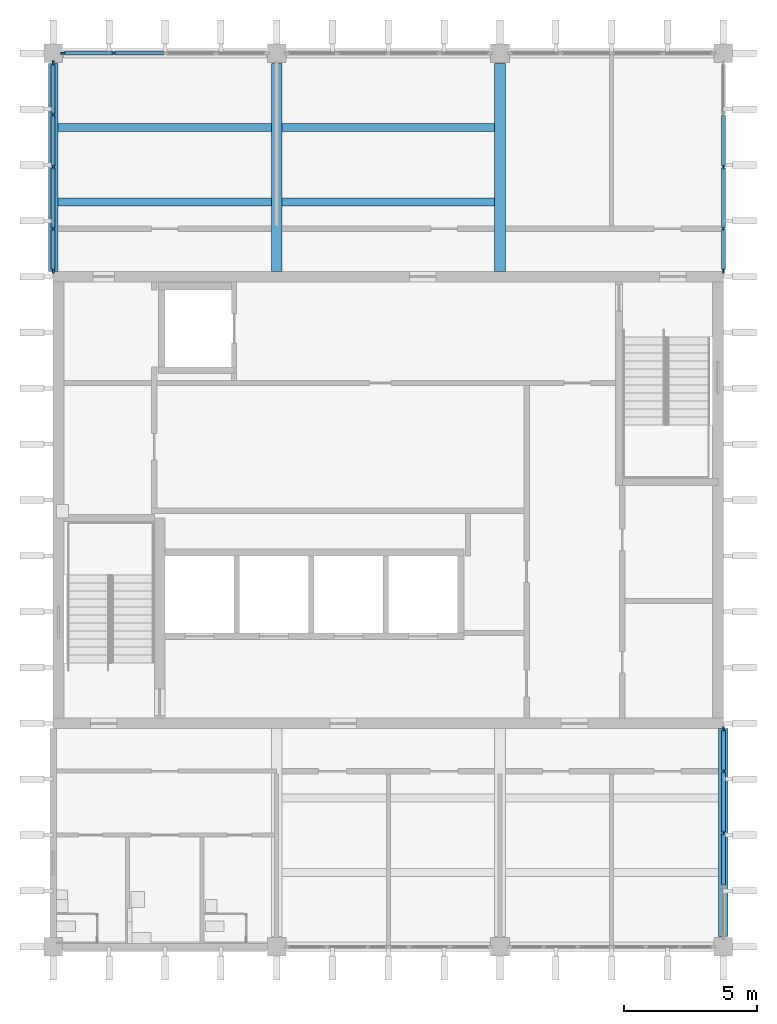
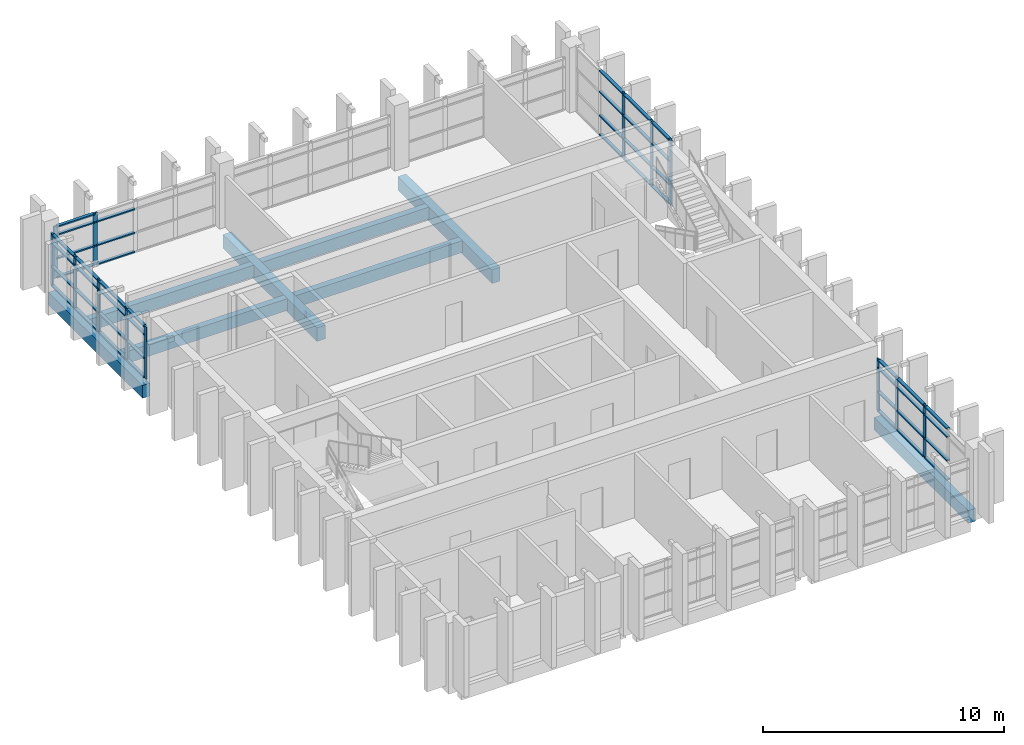
# One storey, part 3 of 11: 60 members, 8 beams, 4 elements without a shape of their own.
"""IFC4 building model written with IfcOpenShell, lengths in metres."""

from ifc_helpers import new_model, si_unit, direction, frame, origin, origin_2d, place, context, subcontext, project, spatial, rectangle, extrude, material, layer, layer_set, material_profile, profile_set, type_object, element, aggregate, save


model = new_model("IFC4")

# Units and contexts
model_context = context("Model", 3, precision=1e-05, world=origin(), true_north=direction((0.0, 1.0)))
body_context = subcontext(model_context, "Body", "Model", "MODEL_VIEW")
ifc_project = project(units=[si_unit("LENGTHUNIT", "METRE"), si_unit("AREAUNIT", "SQUARE_METRE"), si_unit("VOLUMEUNIT", "CUBIC_METRE"), si_unit("PLANEANGLEUNIT", "RADIAN"), si_unit("MASSUNIT", "GRAM", prefix="KILO")], contexts=[model_context])

# Site, building, storey
site_placement = place(None, origin())
site = spatial("IfcSite", under=ifc_project, at=site_placement, CompositionType="ELEMENT")
building_placement = place(site_placement, origin())
building = spatial("IfcBuilding", under=site, at=building_placement, Name="Rulbaag Community and Learning Centre", CompositionType="ELEMENT")
storey_placement = place(building_placement, frame((0.0, 0.0, 50.39990234375)))
storey = spatial("IfcBuildingStorey", under=building, at=storey_placement, Name="L13", CompositionType="ELEMENT", Elevation=50.39990234375)

# Beams
ifc_material_1 = material(Name="Concrete M40", Category="concrete")
ifc_material_profile_1 = material_profile(ifc_material_1, rectangle(XDim=0.39990234375, YDim=0.699951171875, at=origin_2d()), Name="RB400x700")
ifc_profile_set_1 = profile_set([ifc_material_profile_1], Name="Concrete M40")
beam_type_1 = type_object("IfcBeamType", Name="B13 Tower floor beam, upper zone 400x700 Concrete M40", PredefinedType="BEAM", material=ifc_profile_set_1)
for number, where, z_axis, x_axis, name in (
    (1, (151.199951171875, 109.39990234375, -0.64990234375), (0.0, 1.0, 0.0), (-1.0, 0.0, 0.0), "BM-L13-19N-19O"),
    (2, (159.60009765625, 109.39990234375, -0.64990234375), (0.0, 1.0, 0.0), (-1.0, 0.0, 0.0), "BM-L13-20N-20O"),
):
    element("IfcBeam", number, at=place(storey_placement, frame(where, z_axis=z_axis, x_axis=x_axis)), inside=storey, type_object=beam_type_1, Name=name, PredefinedType="BEAM", context=body_context, shape_type="SweptSolid", body=[
        extrude(rectangle(XDim=0.39990234375, YDim=0.699951171875, at=origin_2d()), origin(), (0.0, 0.0, 1.0), 7.820068359375),
    ])
ifc_material_profile_2 = material_profile(ifc_material_1, rectangle(XDim=0.35009765625, YDim=0.64990234375, at=origin_2d()), Name="RB350x650")
ifc_profile_set_2 = profile_set([ifc_material_profile_2], Name="Concrete M40")
beam_type_2 = type_object("IfcBeamType", Name="B14 Tower edge beam, upper zone 350x650 Concrete M40", PredefinedType="BEAM", material=ifc_profile_set_2)
for number, where, z_axis, x_axis, name in (
    (3, (142.800048828125, 109.39990234375, -0.625), (0.0, 1.0, 0.0), (-1.0, 0.0, 0.0), "BM-L13-18N-18O"),
    (4, (168.0, 84.3798828125, -0.625), (0.0, 1.0, 0.0), (-1.0, 0.0, 0.0), "BM-L13-21K-21L"),
):
    element("IfcBeam", number, at=place(storey_placement, frame(where, z_axis=z_axis, x_axis=x_axis)), inside=storey, type_object=beam_type_2, Name=name, PredefinedType="BEAM", context=body_context, shape_type="SweptSolid", body=[
        extrude(rectangle(XDim=0.35009765625, YDim=0.64990234375, at=origin_2d()), origin(), (0.0, 0.0, 1.0), 7.820068359375),
    ])
ifc_material_profile_3 = material_profile(ifc_material_1, rectangle(XDim=0.300048828125, YDim=0.60009765625, at=origin_2d()), Name="RB300x600")
ifc_profile_set_3 = profile_set([ifc_material_profile_3], Name="Concrete M40")
beam_type_3 = type_object("IfcBeamType", Name="B30 Secondary joist 300x600 Concrete M40", PredefinedType="BEAM", material=ifc_profile_set_3)
for number, where, z_axis, x_axis, name in (
    (5, (142.97509765625, 112.0, -0.599853515625), (1.0, 0.0, 0.0), (0.0, 1.0, 0.0), "BM-JS-L13-18N-1"),
    (6, (142.97509765625, 114.800048828125, -0.599853515625), (1.0, 0.0, 0.0), (0.0, 1.0, 0.0), "BM-JS-L13-18N-2"),
):
    element("IfcBeam", number, at=place(storey_placement, frame(where, z_axis=z_axis, x_axis=x_axis)), inside=storey, type_object=beam_type_3, Name=name, PredefinedType="BEAM", context=body_context, shape_type="SweptSolid", body=[
        extrude(rectangle(XDim=0.300048828125, YDim=0.60009765625, at=origin_2d()), origin(), (0.0, 0.0, 1.0), 8.02490234375),
    ])
for number, where, z_axis, x_axis, name in (
    (7, (151.39990234375, 112.0, -0.599853515625), (1.0, 0.0, 0.0), (0.0, 1.0, 0.0), "BM-JS-L13-19N-1"),
    (8, (151.39990234375, 114.800048828125, -0.599853515625), (1.0, 0.0, 0.0), (0.0, 1.0, 0.0), "BM-JS-L13-19N-2"),
):
    element("IfcBeam", number, at=place(storey_placement, frame(where, z_axis=z_axis, x_axis=x_axis)), inside=storey, type_object=beam_type_3, Name=name, PredefinedType="BEAM", context=body_context, shape_type="SweptSolid", body=[
        extrude(rectangle(XDim=0.300048828125, YDim=0.60009765625, at=origin_2d()), origin(), (0.0, 0.0, 1.0), 8.0),
    ])

# Curtain wall, members
ifc_material_2 = material(Name="Aluminium", Category="aluminium")
ifc_layer = layer(ifc_material_2, 0.14990234375)
ifc_layer_set = layer_set([ifc_layer], Name="CW-T")
curtain_wall_type = type_object("IfcCurtainWallType", Name="CW-T", PredefinedType="USERDEFINED", material=ifc_layer_set)
curtain_wall_1_placement = place(storey_placement, origin())
curtain_wall_1 = element("IfcCurtainWall", 9, at=curtain_wall_1_placement, inside=storey, type_object=curtain_wall_type, Name="GT-L13-01", ObjectType="UNITISED CURTAIN WALL", PredefinedType="USERDEFINED")
ifc_material_3 = material(Name="Aluminium mullion", Category="aluminium")
ifc_material_profile_4 = material_profile(ifc_material_3, rectangle(XDim=0.06494140625, YDim=0.199951171875, at=origin_2d()), Name="AL 65x200")
ifc_profile_set_4 = profile_set([ifc_material_profile_4], Name="Aluminium mullion")
member_type_1 = type_object("IfcMemberType", Name="CW-T-MUL", PredefinedType="MULLION", material=ifc_profile_set_4)
member_1_placement = place(storey_placement, frame((143.1826171875, 117.60009765625, 0.0), z_axis=(0.0, 0.0, 1.0), x_axis=(0.0, 1.0, 0.0)))
member_1 = element("IfcMember", 10, at=member_1_placement, type_object=member_type_1, Name="GT mullion 1", PredefinedType="MULLION", context=body_context, shape_type="SweptSolid", body=[
    extrude(rectangle(XDim=0.06494140625, YDim=0.199951171875, at=origin_2d()), origin(), (0.0, 0.0, 1.0), 2.650146484375),
])
member_2_placement = place(storey_placement, frame((145.074951171875, 117.60009765625, 0.0), z_axis=(0.0, 0.0, 1.0), x_axis=(0.0, 1.0, 0.0)))
member_2 = element("IfcMember", 11, at=member_2_placement, type_object=member_type_1, Name="GT mullion 2", PredefinedType="MULLION", context=body_context, shape_type="SweptSolid", body=[
    extrude(rectangle(XDim=0.06494140625, YDim=0.199951171875, at=origin_2d()), origin(), (0.0, 0.0, 1.0), 2.650146484375),
])

curtain_wall_2_placement = place(storey_placement, origin())
curtain_wall_2 = element("IfcCurtainWall", 12, at=curtain_wall_2_placement, inside=storey, type_object=curtain_wall_type, Name="GT-L13-04", ObjectType="UNITISED CURTAIN WALL", PredefinedType="USERDEFINED")
member_3_placement = place(storey_placement, frame((142.800048828125, 109.4326171875, 0.0), z_axis=(0.0, 0.0, 1.0), x_axis=(-1.0, 0.0, 0.0)))
member_3 = element("IfcMember", 13, at=member_3_placement, type_object=member_type_1, Name="GT mullion 1", PredefinedType="MULLION", context=body_context, shape_type="SweptSolid", body=[
    extrude(rectangle(XDim=0.06494140625, YDim=0.199951171875, at=origin_2d()), origin(), (0.0, 0.0, 1.0), 2.650146484375),
])
member_4_placement = place(storey_placement, frame((142.800048828125, 111.0, 0.0), z_axis=(0.0, 0.0, 1.0), x_axis=(-1.0, 0.0, 0.0)))
member_4 = element("IfcMember", 14, at=member_4_placement, type_object=member_type_1, Name="GT mullion 2", PredefinedType="MULLION", context=body_context, shape_type="SweptSolid", body=[
    extrude(rectangle(XDim=0.06494140625, YDim=0.199951171875, at=origin_2d()), origin(), (0.0, 0.0, 1.0), 2.650146484375),
])
member_5_placement = place(storey_placement, frame((142.800048828125, 113.324951171875, 0.0), z_axis=(0.0, 0.0, 1.0), x_axis=(-1.0, 0.0, 0.0)))
member_5 = element("IfcMember", 15, at=member_5_placement, type_object=member_type_1, Name="GT mullion 3", PredefinedType="MULLION", context=body_context, shape_type="SweptSolid", body=[
    extrude(rectangle(XDim=0.06494140625, YDim=0.199951171875, at=origin_2d()), origin(), (0.0, 0.0, 1.0), 2.650146484375),
])
member_6_placement = place(storey_placement, frame((142.800048828125, 115.28759765625, 0.0), z_axis=(0.0, 0.0, 1.0), x_axis=(-1.0, 0.0, 0.0)))
member_6 = element("IfcMember", 16, at=member_6_placement, type_object=member_type_1, Name="GT mullion 4", PredefinedType="MULLION", context=body_context, shape_type="SweptSolid", body=[
    extrude(rectangle(XDim=0.06494140625, YDim=0.199951171875, at=origin_2d()), origin(), (0.0, 0.0, 1.0), 2.650146484375),
])
member_7_placement = place(storey_placement, frame((142.800048828125, 117.217529296875, 0.0), z_axis=(0.0, 0.0, 1.0), x_axis=(-1.0, 0.0, 0.0)))
member_7 = element("IfcMember", 17, at=member_7_placement, type_object=member_type_1, Name="GT mullion 5", PredefinedType="MULLION", context=body_context, shape_type="SweptSolid", body=[
    extrude(rectangle(XDim=0.06494140625, YDim=0.199951171875, at=origin_2d()), origin(), (0.0, 0.0, 1.0), 2.650146484375),
])

curtain_wall_3_placement = place(storey_placement, origin())
curtain_wall_3 = element("IfcCurtainWall", 18, at=curtain_wall_3_placement, inside=storey, type_object=curtain_wall_type, Name="GT-L13-05", ObjectType="UNITISED CURTAIN WALL", PredefinedType="USERDEFINED")
member_8_placement = place(storey_placement, frame((168.0, 88.27490234375, 0.0), z_axis=(0.0, 0.0, 1.0), x_axis=(-1.0, 0.0, 0.0)))
member_8 = element("IfcMember", 19, at=member_8_placement, type_object=member_type_1, Name="GT mullion 3", PredefinedType="MULLION", context=body_context, shape_type="SweptSolid", body=[
    extrude(rectangle(XDim=0.06494140625, YDim=0.199951171875, at=origin_2d()), origin(), (0.0, 0.0, 1.0), 2.650146484375),
])
member_9_placement = place(storey_placement, frame((168.0, 90.60009765625, 0.0), z_axis=(0.0, 0.0, 1.0), x_axis=(-1.0, 0.0, 0.0)))
member_9 = element("IfcMember", 20, at=member_9_placement, type_object=member_type_1, Name="GT mullion 4", PredefinedType="MULLION", context=body_context, shape_type="SweptSolid", body=[
    extrude(rectangle(XDim=0.06494140625, YDim=0.199951171875, at=origin_2d()), origin(), (0.0, 0.0, 1.0), 2.650146484375),
])
member_10_placement = place(storey_placement, frame((168.0, 92.16748046875, 0.0), z_axis=(0.0, 0.0, 1.0), x_axis=(-1.0, 0.0, 0.0)))
member_10 = element("IfcMember", 21, at=member_10_placement, type_object=member_type_1, Name="GT mullion 5", PredefinedType="MULLION", context=body_context, shape_type="SweptSolid", body=[
    extrude(rectangle(XDim=0.06494140625, YDim=0.199951171875, at=origin_2d()), origin(), (0.0, 0.0, 1.0), 2.650146484375),
])

curtain_wall_4_placement = place(storey_placement, origin())
curtain_wall_4 = element("IfcCurtainWall", 22, at=curtain_wall_4_placement, inside=storey, type_object=curtain_wall_type, Name="GT-L13-06", ObjectType="UNITISED CURTAIN WALL", PredefinedType="USERDEFINED")
member_11_placement = place(storey_placement, frame((168.0, 109.4326171875, 0.0), z_axis=(0.0, 0.0, 1.0), x_axis=(-1.0, 0.0, 0.0)))
member_11 = element("IfcMember", 23, at=member_11_placement, type_object=member_type_1, Name="GT mullion 1", PredefinedType="MULLION", context=body_context, shape_type="SweptSolid", body=[
    extrude(rectangle(XDim=0.06494140625, YDim=0.199951171875, at=origin_2d()), origin(), (0.0, 0.0, 1.0), 3.300048828125),
])
member_12_placement = place(storey_placement, frame((168.0, 111.0, 0.0), z_axis=(0.0, 0.0, 1.0), x_axis=(-1.0, 0.0, 0.0)))
member_12 = element("IfcMember", 24, at=member_12_placement, type_object=member_type_1, Name="GT mullion 2", PredefinedType="MULLION", context=body_context, shape_type="SweptSolid", body=[
    extrude(rectangle(XDim=0.06494140625, YDim=0.199951171875, at=origin_2d()), origin(), (0.0, 0.0, 1.0), 3.300048828125),
])
member_13_placement = place(storey_placement, frame((168.0, 113.324951171875, 0.0), z_axis=(0.0, 0.0, 1.0), x_axis=(-1.0, 0.0, 0.0)))
member_13 = element("IfcMember", 25, at=member_13_placement, type_object=member_type_1, Name="GT mullion 3", PredefinedType="MULLION", context=body_context, shape_type="SweptSolid", body=[
    extrude(rectangle(XDim=0.06494140625, YDim=0.199951171875, at=origin_2d()), origin(), (0.0, 0.0, 1.0), 3.300048828125),
])

# Member
ifc_material_4 = material(Name="Aluminium transom", Category="aluminium")
ifc_material_profile_5 = material_profile(ifc_material_4, rectangle(XDim=0.14990234375, YDim=0.06494140625, at=origin_2d()), Name="AL 65x150 T")
ifc_profile_set_5 = profile_set([ifc_material_profile_5], Name="Aluminium transom")
member_type_2 = type_object("IfcMemberType", Name="CW-T-TRN", PredefinedType="USERDEFINED", material=ifc_profile_set_5)
member_14_placement = place(storey_placement, frame((143.215087890625, 117.60009765625, 0.03271484375), z_axis=(1.0, 0.0, 0.0), x_axis=(0.0, 1.0, 0.0)))
member_14 = element("IfcMember", 26, at=member_14_placement, type_object=member_type_2, Name="GT transom 1.1", ObjectType="TRANSOM", PredefinedType="USERDEFINED", context=body_context, shape_type="SweptSolid", body=[
    extrude(rectangle(XDim=0.14990234375, YDim=0.06494140625, at=origin_2d()), origin(), (0.0, 0.0, 1.0), 1.827392578125),
])

member_15_placement = place(storey_placement, frame((143.215087890625, 117.60009765625, 1.0), z_axis=(1.0, 0.0, 0.0), x_axis=(0.0, 1.0, 0.0)))
member_15 = element("IfcMember", 27, at=member_15_placement, type_object=member_type_2, Name="GT transom 1.2", ObjectType="TRANSOM", PredefinedType="USERDEFINED", context=body_context, shape_type="SweptSolid", body=[
    extrude(rectangle(XDim=0.14990234375, YDim=0.06494140625, at=origin_2d()), origin(), (0.0, 0.0, 1.0), 1.827392578125),
])

member_16_placement = place(storey_placement, frame((143.215087890625, 117.60009765625, 2.2001953125), z_axis=(1.0, 0.0, 0.0), x_axis=(0.0, 1.0, 0.0)))
member_16 = element("IfcMember", 28, at=member_16_placement, type_object=member_type_2, Name="GT transom 1.3", ObjectType="TRANSOM", PredefinedType="USERDEFINED", context=body_context, shape_type="SweptSolid", body=[
    extrude(rectangle(XDim=0.14990234375, YDim=0.06494140625, at=origin_2d()), origin(), (0.0, 0.0, 1.0), 1.827392578125),
])

member_17_placement = place(storey_placement, frame((143.215087890625, 117.60009765625, 2.61767578125), z_axis=(1.0, 0.0, 0.0), x_axis=(0.0, 1.0, 0.0)))
member_17 = element("IfcMember", 29, at=member_17_placement, type_object=member_type_2, Name="GT transom 1.4", ObjectType="TRANSOM", PredefinedType="USERDEFINED", context=body_context, shape_type="SweptSolid", body=[
    extrude(rectangle(XDim=0.14990234375, YDim=0.06494140625, at=origin_2d()), origin(), (0.0, 0.0, 1.0), 1.827392578125),
])

member_18_placement = place(storey_placement, frame((145.107421875, 117.60009765625, 0.03271484375), z_axis=(1.0, 0.0, 0.0), x_axis=(0.0, 1.0, 0.0)))
member_18 = element("IfcMember", 30, at=member_18_placement, type_object=member_type_2, Name="GT transom 2.1", ObjectType="TRANSOM", PredefinedType="USERDEFINED", context=body_context, shape_type="SweptSolid", body=[
    extrude(rectangle(XDim=0.14990234375, YDim=0.06494140625, at=origin_2d()), origin(), (0.0, 0.0, 1.0), 1.860107421875),
])

member_19_placement = place(storey_placement, frame((145.107421875, 117.60009765625, 1.0), z_axis=(1.0, 0.0, 0.0), x_axis=(0.0, 1.0, 0.0)))
member_19 = element("IfcMember", 31, at=member_19_placement, type_object=member_type_2, Name="GT transom 2.2", ObjectType="TRANSOM", PredefinedType="USERDEFINED", context=body_context, shape_type="SweptSolid", body=[
    extrude(rectangle(XDim=0.14990234375, YDim=0.06494140625, at=origin_2d()), origin(), (0.0, 0.0, 1.0), 1.860107421875),
])

member_20_placement = place(storey_placement, frame((145.107421875, 117.60009765625, 2.2001953125), z_axis=(1.0, 0.0, 0.0), x_axis=(0.0, 1.0, 0.0)))
member_20 = element("IfcMember", 32, at=member_20_placement, type_object=member_type_2, Name="GT transom 2.3", ObjectType="TRANSOM", PredefinedType="USERDEFINED", context=body_context, shape_type="SweptSolid", body=[
    extrude(rectangle(XDim=0.14990234375, YDim=0.06494140625, at=origin_2d()), origin(), (0.0, 0.0, 1.0), 1.860107421875),
])

aggregate(curtain_wall_1, [member_1, member_2, member_14, member_15, member_16, member_17, member_18, member_19, member_20])

member_21_placement = place(storey_placement, frame((142.800048828125, 109.465087890625, 0.03271484375), z_axis=(0.0, 1.0, 0.0), x_axis=(-1.0, 0.0, 0.0)))
member_21 = element("IfcMember", 33, at=member_21_placement, type_object=member_type_2, Name="GT transom 1.1", ObjectType="TRANSOM", PredefinedType="USERDEFINED", context=body_context, shape_type="SweptSolid", body=[
    extrude(rectangle(XDim=0.14990234375, YDim=0.06494140625, at=origin_2d()), origin(), (0.0, 0.0, 1.0), 1.50244140625),
])

member_22_placement = place(storey_placement, frame((142.800048828125, 109.465087890625, 1.0), z_axis=(0.0, 1.0, 0.0), x_axis=(-1.0, 0.0, 0.0)))
member_22 = element("IfcMember", 34, at=member_22_placement, type_object=member_type_2, Name="GT transom 1.2", ObjectType="TRANSOM", PredefinedType="USERDEFINED", context=body_context, shape_type="SweptSolid", body=[
    extrude(rectangle(XDim=0.14990234375, YDim=0.06494140625, at=origin_2d()), origin(), (0.0, 0.0, 1.0), 1.50244140625),
])

member_23_placement = place(storey_placement, frame((142.800048828125, 109.465087890625, 2.2001953125), z_axis=(0.0, 1.0, 0.0), x_axis=(-1.0, 0.0, 0.0)))
member_23 = element("IfcMember", 35, at=member_23_placement, type_object=member_type_2, Name="GT transom 1.3", ObjectType="TRANSOM", PredefinedType="USERDEFINED", context=body_context, shape_type="SweptSolid", body=[
    extrude(rectangle(XDim=0.14990234375, YDim=0.06494140625, at=origin_2d()), origin(), (0.0, 0.0, 1.0), 1.50244140625),
])

member_24_placement = place(storey_placement, frame((142.800048828125, 109.465087890625, 2.61767578125), z_axis=(0.0, 1.0, 0.0), x_axis=(-1.0, 0.0, 0.0)))
member_24 = element("IfcMember", 36, at=member_24_placement, type_object=member_type_2, Name="GT transom 1.4", ObjectType="TRANSOM", PredefinedType="USERDEFINED", context=body_context, shape_type="SweptSolid", body=[
    extrude(rectangle(XDim=0.14990234375, YDim=0.06494140625, at=origin_2d()), origin(), (0.0, 0.0, 1.0), 1.50244140625),
])

member_25_placement = place(storey_placement, frame((142.800048828125, 111.032470703125, 0.03271484375), z_axis=(0.0, 1.0, 0.0), x_axis=(-1.0, 0.0, 0.0)))
member_25 = element("IfcMember", 37, at=member_25_placement, type_object=member_type_2, Name="GT transom 2.1", ObjectType="TRANSOM", PredefinedType="USERDEFINED", context=body_context, shape_type="SweptSolid", body=[
    extrude(rectangle(XDim=0.14990234375, YDim=0.06494140625, at=origin_2d()), origin(), (0.0, 0.0, 1.0), 2.260009765625),
])

member_26_placement = place(storey_placement, frame((142.800048828125, 111.032470703125, 1.0), z_axis=(0.0, 1.0, 0.0), x_axis=(-1.0, 0.0, 0.0)))
member_26 = element("IfcMember", 38, at=member_26_placement, type_object=member_type_2, Name="GT transom 2.2", ObjectType="TRANSOM", PredefinedType="USERDEFINED", context=body_context, shape_type="SweptSolid", body=[
    extrude(rectangle(XDim=0.14990234375, YDim=0.06494140625, at=origin_2d()), origin(), (0.0, 0.0, 1.0), 2.260009765625),
])

member_27_placement = place(storey_placement, frame((142.800048828125, 111.032470703125, 2.2001953125), z_axis=(0.0, 1.0, 0.0), x_axis=(-1.0, 0.0, 0.0)))
member_27 = element("IfcMember", 39, at=member_27_placement, type_object=member_type_2, Name="GT transom 2.3", ObjectType="TRANSOM", PredefinedType="USERDEFINED", context=body_context, shape_type="SweptSolid", body=[
    extrude(rectangle(XDim=0.14990234375, YDim=0.06494140625, at=origin_2d()), origin(), (0.0, 0.0, 1.0), 2.260009765625),
])

member_28_placement = place(storey_placement, frame((142.800048828125, 111.032470703125, 2.61767578125), z_axis=(0.0, 1.0, 0.0), x_axis=(-1.0, 0.0, 0.0)))
member_28 = element("IfcMember", 40, at=member_28_placement, type_object=member_type_2, Name="GT transom 2.4", ObjectType="TRANSOM", PredefinedType="USERDEFINED", context=body_context, shape_type="SweptSolid", body=[
    extrude(rectangle(XDim=0.14990234375, YDim=0.06494140625, at=origin_2d()), origin(), (0.0, 0.0, 1.0), 2.260009765625),
])

member_29_placement = place(storey_placement, frame((142.800048828125, 113.357421875, 0.03271484375), z_axis=(0.0, 1.0, 0.0), x_axis=(-1.0, 0.0, 0.0)))
member_29 = element("IfcMember", 41, at=member_29_placement, type_object=member_type_2, Name="GT transom 3.1", ObjectType="TRANSOM", PredefinedType="USERDEFINED", context=body_context, shape_type="SweptSolid", body=[
    extrude(rectangle(XDim=0.14990234375, YDim=0.06494140625, at=origin_2d()), origin(), (0.0, 0.0, 1.0), 1.8974609375),
])

member_30_placement = place(storey_placement, frame((142.800048828125, 113.357421875, 1.0), z_axis=(0.0, 1.0, 0.0), x_axis=(-1.0, 0.0, 0.0)))
member_30 = element("IfcMember", 42, at=member_30_placement, type_object=member_type_2, Name="GT transom 3.2", ObjectType="TRANSOM", PredefinedType="USERDEFINED", context=body_context, shape_type="SweptSolid", body=[
    extrude(rectangle(XDim=0.14990234375, YDim=0.06494140625, at=origin_2d()), origin(), (0.0, 0.0, 1.0), 1.8974609375),
])

member_31_placement = place(storey_placement, frame((142.800048828125, 113.357421875, 2.2001953125), z_axis=(0.0, 1.0, 0.0), x_axis=(-1.0, 0.0, 0.0)))
member_31 = element("IfcMember", 43, at=member_31_placement, type_object=member_type_2, Name="GT transom 3.3", ObjectType="TRANSOM", PredefinedType="USERDEFINED", context=body_context, shape_type="SweptSolid", body=[
    extrude(rectangle(XDim=0.14990234375, YDim=0.06494140625, at=origin_2d()), origin(), (0.0, 0.0, 1.0), 1.8974609375),
])

member_32_placement = place(storey_placement, frame((142.800048828125, 113.357421875, 2.61767578125), z_axis=(0.0, 1.0, 0.0), x_axis=(-1.0, 0.0, 0.0)))
member_32 = element("IfcMember", 44, at=member_32_placement, type_object=member_type_2, Name="GT transom 3.4", ObjectType="TRANSOM", PredefinedType="USERDEFINED", context=body_context, shape_type="SweptSolid", body=[
    extrude(rectangle(XDim=0.14990234375, YDim=0.06494140625, at=origin_2d()), origin(), (0.0, 0.0, 1.0), 1.8974609375),
])

member_33_placement = place(storey_placement, frame((142.800048828125, 115.320068359375, 0.03271484375), z_axis=(0.0, 1.0, 0.0), x_axis=(-1.0, 0.0, 0.0)))
member_33 = element("IfcMember", 45, at=member_33_placement, type_object=member_type_2, Name="GT transom 4.1", ObjectType="TRANSOM", PredefinedType="USERDEFINED", context=body_context, shape_type="SweptSolid", body=[
    extrude(rectangle(XDim=0.14990234375, YDim=0.06494140625, at=origin_2d()), origin(), (0.0, 0.0, 1.0), 1.864990234375),
])

member_34_placement = place(storey_placement, frame((142.800048828125, 115.320068359375, 1.0), z_axis=(0.0, 1.0, 0.0), x_axis=(-1.0, 0.0, 0.0)))
member_34 = element("IfcMember", 46, at=member_34_placement, type_object=member_type_2, Name="GT transom 4.2", ObjectType="TRANSOM", PredefinedType="USERDEFINED", context=body_context, shape_type="SweptSolid", body=[
    extrude(rectangle(XDim=0.14990234375, YDim=0.06494140625, at=origin_2d()), origin(), (0.0, 0.0, 1.0), 1.864990234375),
])

member_35_placement = place(storey_placement, frame((142.800048828125, 115.320068359375, 2.2001953125), z_axis=(0.0, 1.0, 0.0), x_axis=(-1.0, 0.0, 0.0)))
member_35 = element("IfcMember", 47, at=member_35_placement, type_object=member_type_2, Name="GT transom 4.3", ObjectType="TRANSOM", PredefinedType="USERDEFINED", context=body_context, shape_type="SweptSolid", body=[
    extrude(rectangle(XDim=0.14990234375, YDim=0.06494140625, at=origin_2d()), origin(), (0.0, 0.0, 1.0), 1.864990234375),
])

member_36_placement = place(storey_placement, frame((142.800048828125, 115.320068359375, 2.61767578125), z_axis=(0.0, 1.0, 0.0), x_axis=(-1.0, 0.0, 0.0)))
member_36 = element("IfcMember", 48, at=member_36_placement, type_object=member_type_2, Name="GT transom 4.4", ObjectType="TRANSOM", PredefinedType="USERDEFINED", context=body_context, shape_type="SweptSolid", body=[
    extrude(rectangle(XDim=0.14990234375, YDim=0.06494140625, at=origin_2d()), origin(), (0.0, 0.0, 1.0), 1.864990234375),
])

aggregate(curtain_wall_2, [member_3, member_4, member_5, member_6, member_7, member_21, member_22, member_23, member_24, member_25, member_26, member_27, member_28, member_29, member_30, member_31, member_32, member_33, member_34, member_35, member_36])

member_37_placement = place(storey_placement, frame((168.0, 86.344970703125, 0.03271484375), z_axis=(0.0, 1.0, 0.0), x_axis=(-1.0, 0.0, 0.0)))
member_37 = element("IfcMember", 49, at=member_37_placement, type_object=member_type_2, Name="GT transom 2.1", ObjectType="TRANSOM", PredefinedType="USERDEFINED", context=body_context, shape_type="SweptSolid", body=[
    extrude(rectangle(XDim=0.14990234375, YDim=0.06494140625, at=origin_2d()), origin(), (0.0, 0.0, 1.0), 1.8974609375),
])

member_38_placement = place(storey_placement, frame((168.0, 86.344970703125, 1.0), z_axis=(0.0, 1.0, 0.0), x_axis=(-1.0, 0.0, 0.0)))
member_38 = element("IfcMember", 50, at=member_38_placement, type_object=member_type_2, Name="GT transom 2.2", ObjectType="TRANSOM", PredefinedType="USERDEFINED", context=body_context, shape_type="SweptSolid", body=[
    extrude(rectangle(XDim=0.14990234375, YDim=0.06494140625, at=origin_2d()), origin(), (0.0, 0.0, 1.0), 1.8974609375),
])

member_39_placement = place(storey_placement, frame((168.0, 86.344970703125, 2.2001953125), z_axis=(0.0, 1.0, 0.0), x_axis=(-1.0, 0.0, 0.0)))
member_39 = element("IfcMember", 51, at=member_39_placement, type_object=member_type_2, Name="GT transom 2.3", ObjectType="TRANSOM", PredefinedType="USERDEFINED", context=body_context, shape_type="SweptSolid", body=[
    extrude(rectangle(XDim=0.14990234375, YDim=0.06494140625, at=origin_2d()), origin(), (0.0, 0.0, 1.0), 1.8974609375),
])

member_40_placement = place(storey_placement, frame((168.0, 86.344970703125, 2.61767578125), z_axis=(0.0, 1.0, 0.0), x_axis=(-1.0, 0.0, 0.0)))
member_40 = element("IfcMember", 52, at=member_40_placement, type_object=member_type_2, Name="GT transom 2.4", ObjectType="TRANSOM", PredefinedType="USERDEFINED", context=body_context, shape_type="SweptSolid", body=[
    extrude(rectangle(XDim=0.14990234375, YDim=0.06494140625, at=origin_2d()), origin(), (0.0, 0.0, 1.0), 1.8974609375),
])

member_41_placement = place(storey_placement, frame((168.0, 88.3076171875, 0.03271484375), z_axis=(0.0, 1.0, 0.0), x_axis=(-1.0, 0.0, 0.0)))
member_41 = element("IfcMember", 53, at=member_41_placement, type_object=member_type_2, Name="GT transom 3.1", ObjectType="TRANSOM", PredefinedType="USERDEFINED", context=body_context, shape_type="SweptSolid", body=[
    extrude(rectangle(XDim=0.14990234375, YDim=0.06494140625, at=origin_2d()), origin(), (0.0, 0.0, 1.0), 2.259765625),
])

member_42_placement = place(storey_placement, frame((168.0, 88.3076171875, 1.0), z_axis=(0.0, 1.0, 0.0), x_axis=(-1.0, 0.0, 0.0)))
member_42 = element("IfcMember", 54, at=member_42_placement, type_object=member_type_2, Name="GT transom 3.2", ObjectType="TRANSOM", PredefinedType="USERDEFINED", context=body_context, shape_type="SweptSolid", body=[
    extrude(rectangle(XDim=0.14990234375, YDim=0.06494140625, at=origin_2d()), origin(), (0.0, 0.0, 1.0), 2.259765625),
])

member_43_placement = place(storey_placement, frame((168.0, 88.3076171875, 2.2001953125), z_axis=(0.0, 1.0, 0.0), x_axis=(-1.0, 0.0, 0.0)))
member_43 = element("IfcMember", 55, at=member_43_placement, type_object=member_type_2, Name="GT transom 3.3", ObjectType="TRANSOM", PredefinedType="USERDEFINED", context=body_context, shape_type="SweptSolid", body=[
    extrude(rectangle(XDim=0.14990234375, YDim=0.06494140625, at=origin_2d()), origin(), (0.0, 0.0, 1.0), 2.259765625),
])

member_44_placement = place(storey_placement, frame((168.0, 88.3076171875, 2.61767578125), z_axis=(0.0, 1.0, 0.0), x_axis=(-1.0, 0.0, 0.0)))
member_44 = element("IfcMember", 56, at=member_44_placement, type_object=member_type_2, Name="GT transom 3.4", ObjectType="TRANSOM", PredefinedType="USERDEFINED", context=body_context, shape_type="SweptSolid", body=[
    extrude(rectangle(XDim=0.14990234375, YDim=0.06494140625, at=origin_2d()), origin(), (0.0, 0.0, 1.0), 2.259765625),
])

member_45_placement = place(storey_placement, frame((168.0, 90.632568359375, 0.03271484375), z_axis=(0.0, 1.0, 0.0), x_axis=(-1.0, 0.0, 0.0)))
member_45 = element("IfcMember", 57, at=member_45_placement, type_object=member_type_2, Name="GT transom 4.1", ObjectType="TRANSOM", PredefinedType="USERDEFINED", context=body_context, shape_type="SweptSolid", body=[
    extrude(rectangle(XDim=0.14990234375, YDim=0.06494140625, at=origin_2d()), origin(), (0.0, 0.0, 1.0), 1.50244140625),
])

member_46_placement = place(storey_placement, frame((168.0, 90.632568359375, 1.0), z_axis=(0.0, 1.0, 0.0), x_axis=(-1.0, 0.0, 0.0)))
member_46 = element("IfcMember", 58, at=member_46_placement, type_object=member_type_2, Name="GT transom 4.2", ObjectType="TRANSOM", PredefinedType="USERDEFINED", context=body_context, shape_type="SweptSolid", body=[
    extrude(rectangle(XDim=0.14990234375, YDim=0.06494140625, at=origin_2d()), origin(), (0.0, 0.0, 1.0), 1.50244140625),
])

member_47_placement = place(storey_placement, frame((168.0, 90.632568359375, 2.2001953125), z_axis=(0.0, 1.0, 0.0), x_axis=(-1.0, 0.0, 0.0)))
member_47 = element("IfcMember", 59, at=member_47_placement, type_object=member_type_2, Name="GT transom 4.3", ObjectType="TRANSOM", PredefinedType="USERDEFINED", context=body_context, shape_type="SweptSolid", body=[
    extrude(rectangle(XDim=0.14990234375, YDim=0.06494140625, at=origin_2d()), origin(), (0.0, 0.0, 1.0), 1.50244140625),
])

member_48_placement = place(storey_placement, frame((168.0, 90.632568359375, 2.61767578125), z_axis=(0.0, 1.0, 0.0), x_axis=(-1.0, 0.0, 0.0)))
member_48 = element("IfcMember", 60, at=member_48_placement, type_object=member_type_2, Name="GT transom 4.4", ObjectType="TRANSOM", PredefinedType="USERDEFINED", context=body_context, shape_type="SweptSolid", body=[
    extrude(rectangle(XDim=0.14990234375, YDim=0.06494140625, at=origin_2d()), origin(), (0.0, 0.0, 1.0), 1.50244140625),
])

aggregate(curtain_wall_3, [member_8, member_9, member_10, member_37, member_38, member_39, member_40, member_41, member_42, member_43, member_44, member_45, member_46, member_47, member_48])

member_49_placement = place(storey_placement, frame((168.0, 109.465087890625, 0.03271484375), z_axis=(0.0, 1.0, 0.0), x_axis=(-1.0, 0.0, 0.0)))
member_49 = element("IfcMember", 61, at=member_49_placement, type_object=member_type_2, Name="GT transom 1.1", ObjectType="TRANSOM", PredefinedType="USERDEFINED", context=body_context, shape_type="SweptSolid", body=[
    extrude(rectangle(XDim=0.14990234375, YDim=0.06494140625, at=origin_2d()), origin(), (0.0, 0.0, 1.0), 1.50244140625),
])

member_50_placement = place(storey_placement, frame((168.0, 109.465087890625, 1.0), z_axis=(0.0, 1.0, 0.0), x_axis=(-1.0, 0.0, 0.0)))
member_50 = element("IfcMember", 62, at=member_50_placement, type_object=member_type_2, Name="GT transom 1.2", ObjectType="TRANSOM", PredefinedType="USERDEFINED", context=body_context, shape_type="SweptSolid", body=[
    extrude(rectangle(XDim=0.14990234375, YDim=0.06494140625, at=origin_2d()), origin(), (0.0, 0.0, 1.0), 1.50244140625),
])

member_51_placement = place(storey_placement, frame((168.0, 109.465087890625, 2.2001953125), z_axis=(0.0, 1.0, 0.0), x_axis=(-1.0, 0.0, 0.0)))
member_51 = element("IfcMember", 63, at=member_51_placement, type_object=member_type_2, Name="GT transom 1.3", ObjectType="TRANSOM", PredefinedType="USERDEFINED", context=body_context, shape_type="SweptSolid", body=[
    extrude(rectangle(XDim=0.14990234375, YDim=0.06494140625, at=origin_2d()), origin(), (0.0, 0.0, 1.0), 1.50244140625),
])

member_52_placement = place(storey_placement, frame((168.0, 109.465087890625, 3.267578125), z_axis=(0.0, 1.0, 0.0), x_axis=(-1.0, 0.0, 0.0)))
member_52 = element("IfcMember", 64, at=member_52_placement, type_object=member_type_2, Name="GT transom 1.4", ObjectType="TRANSOM", PredefinedType="USERDEFINED", context=body_context, shape_type="SweptSolid", body=[
    extrude(rectangle(XDim=0.14990234375, YDim=0.06494140625, at=origin_2d()), origin(), (0.0, 0.0, 1.0), 1.50244140625),
])

member_53_placement = place(storey_placement, frame((168.0, 111.032470703125, 0.03271484375), z_axis=(0.0, 1.0, 0.0), x_axis=(-1.0, 0.0, 0.0)))
member_53 = element("IfcMember", 65, at=member_53_placement, type_object=member_type_2, Name="GT transom 2.1", ObjectType="TRANSOM", PredefinedType="USERDEFINED", context=body_context, shape_type="SweptSolid", body=[
    extrude(rectangle(XDim=0.14990234375, YDim=0.06494140625, at=origin_2d()), origin(), (0.0, 0.0, 1.0), 2.260009765625),
])

member_54_placement = place(storey_placement, frame((168.0, 111.032470703125, 1.0), z_axis=(0.0, 1.0, 0.0), x_axis=(-1.0, 0.0, 0.0)))
member_54 = element("IfcMember", 66, at=member_54_placement, type_object=member_type_2, Name="GT transom 2.2", ObjectType="TRANSOM", PredefinedType="USERDEFINED", context=body_context, shape_type="SweptSolid", body=[
    extrude(rectangle(XDim=0.14990234375, YDim=0.06494140625, at=origin_2d()), origin(), (0.0, 0.0, 1.0), 2.260009765625),
])

member_55_placement = place(storey_placement, frame((168.0, 111.032470703125, 2.2001953125), z_axis=(0.0, 1.0, 0.0), x_axis=(-1.0, 0.0, 0.0)))
member_55 = element("IfcMember", 67, at=member_55_placement, type_object=member_type_2, Name="GT transom 2.3", ObjectType="TRANSOM", PredefinedType="USERDEFINED", context=body_context, shape_type="SweptSolid", body=[
    extrude(rectangle(XDim=0.14990234375, YDim=0.06494140625, at=origin_2d()), origin(), (0.0, 0.0, 1.0), 2.260009765625),
])

member_56_placement = place(storey_placement, frame((168.0, 111.032470703125, 3.267578125), z_axis=(0.0, 1.0, 0.0), x_axis=(-1.0, 0.0, 0.0)))
member_56 = element("IfcMember", 68, at=member_56_placement, type_object=member_type_2, Name="GT transom 2.4", ObjectType="TRANSOM", PredefinedType="USERDEFINED", context=body_context, shape_type="SweptSolid", body=[
    extrude(rectangle(XDim=0.14990234375, YDim=0.06494140625, at=origin_2d()), origin(), (0.0, 0.0, 1.0), 2.260009765625),
])

member_57_placement = place(storey_placement, frame((168.0, 113.357421875, 0.03271484375), z_axis=(0.0, 1.0, 0.0), x_axis=(-1.0, 0.0, 0.0)))
member_57 = element("IfcMember", 69, at=member_57_placement, type_object=member_type_2, Name="GT transom 3.1", ObjectType="TRANSOM", PredefinedType="USERDEFINED", context=body_context, shape_type="SweptSolid", body=[
    extrude(rectangle(XDim=0.14990234375, YDim=0.06494140625, at=origin_2d()), origin(), (0.0, 0.0, 1.0), 1.8974609375),
])

member_58_placement = place(storey_placement, frame((168.0, 113.357421875, 1.0), z_axis=(0.0, 1.0, 0.0), x_axis=(-1.0, 0.0, 0.0)))
member_58 = element("IfcMember", 70, at=member_58_placement, type_object=member_type_2, Name="GT transom 3.2", ObjectType="TRANSOM", PredefinedType="USERDEFINED", context=body_context, shape_type="SweptSolid", body=[
    extrude(rectangle(XDim=0.14990234375, YDim=0.06494140625, at=origin_2d()), origin(), (0.0, 0.0, 1.0), 1.8974609375),
])

member_59_placement = place(storey_placement, frame((168.0, 113.357421875, 2.2001953125), z_axis=(0.0, 1.0, 0.0), x_axis=(-1.0, 0.0, 0.0)))
member_59 = element("IfcMember", 71, at=member_59_placement, type_object=member_type_2, Name="GT transom 3.3", ObjectType="TRANSOM", PredefinedType="USERDEFINED", context=body_context, shape_type="SweptSolid", body=[
    extrude(rectangle(XDim=0.14990234375, YDim=0.06494140625, at=origin_2d()), origin(), (0.0, 0.0, 1.0), 1.8974609375),
])

member_60_placement = place(storey_placement, frame((168.0, 113.357421875, 3.267578125), z_axis=(0.0, 1.0, 0.0), x_axis=(-1.0, 0.0, 0.0)))
member_60 = element("IfcMember", 72, at=member_60_placement, type_object=member_type_2, Name="GT transom 3.4", ObjectType="TRANSOM", PredefinedType="USERDEFINED", context=body_context, shape_type="SweptSolid", body=[
    extrude(rectangle(XDim=0.14990234375, YDim=0.06494140625, at=origin_2d()), origin(), (0.0, 0.0, 1.0), 1.8974609375),
])

aggregate(curtain_wall_4, [member_11, member_12, member_13, member_49, member_50, member_51, member_52, member_53, member_54, member_55, member_56, member_57, member_58, member_59, member_60])

save(model, "model.ifc")
